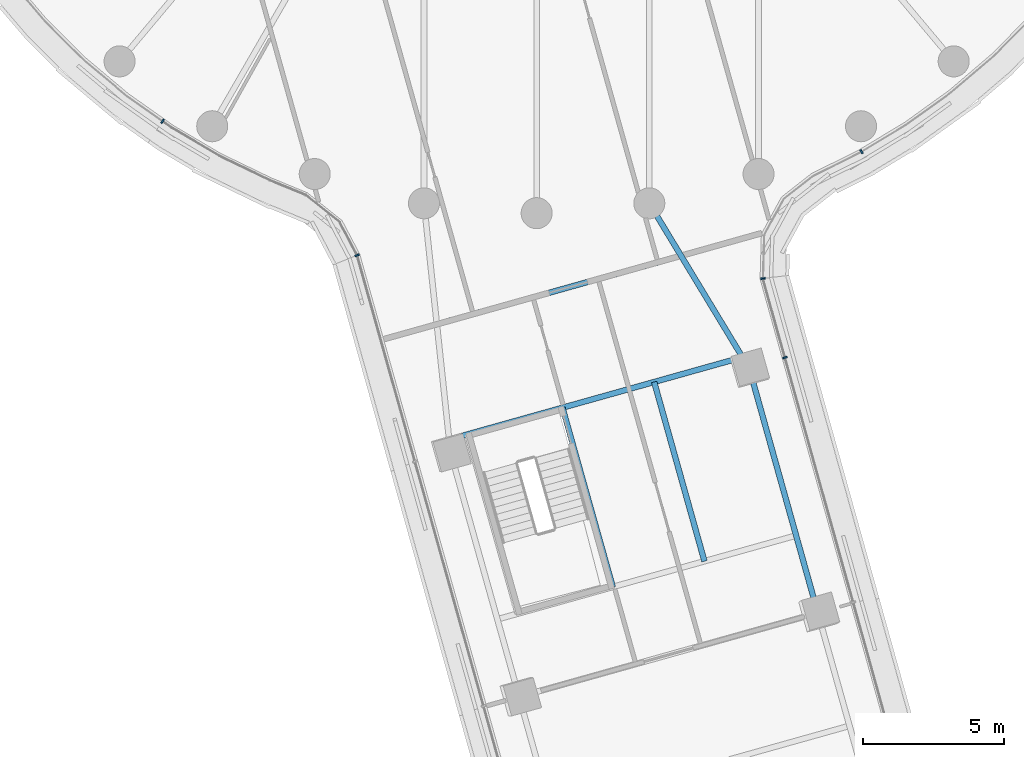
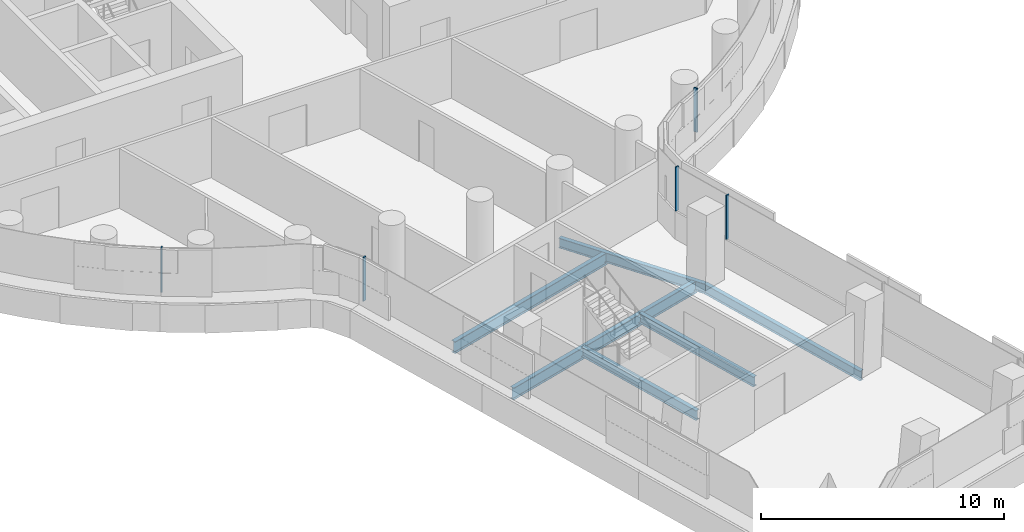
# One storey, part 3 of 30: 6 beams, 5 members, 4 elements without a shape of their own.
"""IFC4 building model written with IfcOpenShell, lengths in metres."""

from ifc_helpers import new_model, si_unit, direction, frame, origin, origin_2d, place, context, subcontext, project, spatial, rectangle, i_section, extrude, material, layer, layer_set, material_profile, profile_set, type_object, element, aggregate, save


model = new_model("IFC4")

# Units and contexts
model_context = context("Model", 3, precision=1e-05, world=origin(), true_north=direction((0.0, 1.0)))
body_context = subcontext(model_context, "Body", "Model", "MODEL_VIEW")
ifc_project = project(units=[si_unit("LENGTHUNIT", "METRE"), si_unit("AREAUNIT", "SQUARE_METRE"), si_unit("VOLUMEUNIT", "CUBIC_METRE"), si_unit("PLANEANGLEUNIT", "RADIAN"), si_unit("MASSUNIT", "GRAM", prefix="KILO")], contexts=[model_context])

# Site, building, storey
site_placement = place(None, origin())
site = spatial("IfcSite", under=ifc_project, at=site_placement, CompositionType="ELEMENT")
building_placement = place(site_placement, origin())
building = spatial("IfcBuilding", under=site, at=building_placement, Name="Tamarind Cross Interchange Tower", CompositionType="ELEMENT")
storey_placement = place(building_placement, frame((0.0, 0.0, 91.0)))
storey = spatial("IfcBuildingStorey", under=building, at=storey_placement, Name="L21", CompositionType="ELEMENT", Elevation=91.0)

# Beams
ifc_material_1 = material(Name="Steel Q355B", Category="steel")
ifc_material_profile_1 = material_profile(ifc_material_1, i_section(OverallWidth=0.198974609375, OverallDepth=0.49609375, WebThickness=0.009033203125, FlangeThickness=0.013916015625, FilletRadius=0.012939453125, at=origin_2d()), Name="HN 496x199x9x14")
ifc_profile_set_1 = profile_set([ifc_material_profile_1], Name="Steel Q355B")
beam_type_1 = type_object("IfcBeamType", Name="Composite beam HN 496x199x9x14 Q355B", PredefinedType="BEAM", material=ifc_profile_set_1)
beam_1_placement = place(storey_placement, frame((9.96875, -37.171142578125, -0.387939453125), z_axis=(-0.270124927, 0.96282528208, 0.0), x_axis=(-0.96282528208, -0.270124927, 0.0)))
element("IfcBeam", 1, at=beam_1_placement, inside=storey, type_object=beam_type_1, Name="Beam S-edgeep3", PredefinedType="BEAM", context=body_context, shape_type="SweptSolid", body=[
    extrude(i_section(OverallWidth=0.198974609375, OverallDepth=0.49609375, WebThickness=0.009033203125, FlangeThickness=0.013916015625, FilletRadius=0.012939453125, at=origin_2d()), origin(), (0.0, 0.0, 1.0), 9.0),
])
beam_2_placement = place(storey_placement, frame((7.53759765625, -28.505615234375, -0.387939453125), z_axis=(-0.517791686406, 0.855506732579, 0.0), x_axis=(-0.855506732579, -0.517791686406, 0.0)))
element("IfcBeam", 2, at=beam_2_placement, inside=storey, type_object=beam_type_1, Name="Beam S-linkep", PredefinedType="BEAM", context=body_context, shape_type="SweptSolid", body=[
    extrude(i_section(OverallWidth=0.198974609375, OverallDepth=0.49609375, WebThickness=0.009033203125, FlangeThickness=0.013916015625, FilletRadius=0.012939453125, at=origin_2d()), origin(), (0.0, 0.0, 1.0), 6.843994140625),
])
for number, where, z_axis, x_axis, name in (
    (3, (0.9169921875, -29.895751953125, -0.387939453125), (0.270140288168, -0.962820972304, 0.0), (0.962820972304, 0.270140288168, 0.0), "Beam S-tr1"),
    (4, (4.16650390625, -28.984130859375, -0.387939453125), (0.270140288168, -0.962820972304, 0.0), (0.962820972304, 0.270140288168, 0.0), "Beam S-stripp"),
):
    element("IfcBeam", number, at=place(storey_placement, frame(where, z_axis=z_axis, x_axis=x_axis)), inside=storey, type_object=beam_type_1, Name=name, PredefinedType="BEAM", context=body_context, shape_type="SweptSolid", body=[
        extrude(i_section(OverallWidth=0.198974609375, OverallDepth=0.49609375, WebThickness=0.009033203125, FlangeThickness=0.013916015625, FilletRadius=0.012939453125, at=origin_2d()), origin(), (0.0, 0.0, 1.0), 6.60009765625),
    ])
ifc_material_profile_2 = material_profile(ifc_material_1, i_section(OverallWidth=0.199951171875, OverallDepth=0.60009765625, WebThickness=0.010986328125, FlangeThickness=0.01708984375, FilletRadius=0.012939453125, at=origin_2d()), Name="HN 600x200x11x17")
ifc_profile_set_2 = profile_set([ifc_material_profile_2], Name="Steel Q355B")
beam_type_2 = type_object("IfcBeamType", Name="Composite beam HN 600x200x11x17 Q355B", PredefinedType="BEAM", material=ifc_profile_set_2)
beam_3_placement = place(storey_placement, frame((-3.101806640625, -31.0234375, -0.43994140625), z_axis=(0.962822541425, 0.27013469552, 0.0), x_axis=(-0.27013469552, 0.962822541425, 0.0)))
element("IfcBeam", 5, at=beam_3_placement, inside=storey, type_object=beam_type_2, Name="Beam S-x298", PredefinedType="BEAM", context=body_context, shape_type="SweptSolid", body=[
    extrude(i_section(OverallWidth=0.199951171875, OverallDepth=0.60009765625, WebThickness=0.010986328125, FlangeThickness=0.01708984375, FilletRadius=0.012939453125, at=origin_2d()), origin(), (0.0, 0.0, 1.0), 10.799072265625),
])
beam_4_placement = place(storey_placement, frame((-3.536865234375, -26.93896484375, -0.43994140625), z_axis=(0.962829657078, 0.270109332401, 0.0), x_axis=(-0.270109332401, 0.962829657078, 0.0)))
element("IfcBeam", 6, at=beam_4_placement, inside=storey, type_object=beam_type_2, Name="Beam S-x258", PredefinedType="BEAM", context=body_context, shape_type="SweptSolid", body=[
    extrude(i_section(OverallWidth=0.199951171875, OverallDepth=0.60009765625, WebThickness=0.010986328125, FlangeThickness=0.01708984375, FilletRadius=0.012939453125, at=origin_2d()), origin(), (0.0, 0.0, 1.0), 8.99072265625),
])

# Curtain wall, member
ifc_material_2 = material(Name="Aluminium 6063-T6", Category="aluminium")
ifc_layer = layer(ifc_material_2, 0.159912109375)
ifc_layer_set = layer_set([ifc_layer], Name="Aluminium 6063-T6")
curtain_wall_type = type_object("IfcCurtainWallType", Name="Office curtain wall, 9.0 m bays", PredefinedType="NOTDEFINED", material=ifc_layer_set)
curtain_wall_1_placement = place(storey_placement, origin())
curtain_wall_1 = element("IfcCurtainWall", 7, at=curtain_wall_1_placement, inside=storey, type_object=curtain_wall_type, Name="CWS-L21-01", PredefinedType="NOTDEFINED")
ifc_material_profile_3 = material_profile(ifc_material_2, rectangle(XDim=0.06005859375, YDim=0.159912109375, at=origin_2d()), Name="Mullion CW1")
ifc_profile_set_3 = profile_set([ifc_material_profile_3], Name="Aluminium 6063-T6")
member_type = type_object("IfcMemberType", Name="Mullion CW1", PredefinedType="MULLION", material=ifc_profile_set_3)
member_1_placement = place(storey_placement, frame((8.802978515625, -28.11962890625, 1.39990234375), z_axis=(0.0, 0.0, 1.0), x_axis=(-0.26883067316, 0.963187452767, 0.0)))
member_1 = element("IfcMember", 8, at=member_1_placement, type_object=member_type, Name="CWM-L21-01-02", PredefinedType="MULLION", context=body_context, shape_type="SweptSolid", body=[
    extrude(rectangle(XDim=0.06005859375, YDim=0.159912109375, at=origin_2d()), origin(), (0.0, 0.0, 1.0), 2.210205078125),
])
aggregate(curtain_wall_1, [member_1])

# Curtain wall, members
curtain_wall_2_placement = place(storey_placement, origin())
curtain_wall_2 = element("IfcCurtainWall", 9, at=curtain_wall_2_placement, inside=storey, type_object=curtain_wall_type, Name="CWS-L21-02", PredefinedType="NOTDEFINED")
member_2_placement = place(storey_placement, frame((8.020751953125, -25.31640625, 1.39990234375), z_axis=(0.0, 0.0, 1.0), x_axis=(-0.121439197982, 0.992598872251, 0.0)))
member_2 = element("IfcMember", 10, at=member_2_placement, type_object=member_type, Name="CWM-L21-02-00", PredefinedType="MULLION", context=body_context, shape_type="SweptSolid", body=[
    extrude(rectangle(XDim=0.06005859375, YDim=0.159912109375, at=origin_2d()), origin(), (0.0, 0.0, 1.0), 2.210205078125),
])
member_3_placement = place(storey_placement, frame((11.517578125, -20.8173828125, 1.39990234375), z_axis=(0.0, 0.0, 1.0), x_axis=(0.856843065292, 0.515577308909, 0.0)))
member_3 = element("IfcMember", 11, at=member_3_placement, type_object=member_type, Name="CWM-L21-02-01", PredefinedType="MULLION", context=body_context, shape_type="SweptSolid", body=[
    extrude(rectangle(XDim=0.06005859375, YDim=0.159912109375, at=origin_2d()), origin(), (0.0, 0.0, 1.0), 2.210205078125),
])
aggregate(curtain_wall_2, [member_2, member_3])

# Curtain wall, member
curtain_wall_3_placement = place(storey_placement, origin())
curtain_wall_3 = element("IfcCurtainWall", 12, at=curtain_wall_3_placement, inside=storey, type_object=curtain_wall_type, Name="CWS-L21-14", PredefinedType="NOTDEFINED")
member_4_placement = place(storey_placement, frame((-13.260498046875, -19.742431640625, 1.39990234375), z_axis=(0.0, 0.0, 1.0), x_axis=(0.816341886298, -0.577568978284, 0.0)))
member_4 = element("IfcMember", 13, at=member_4_placement, type_object=member_type, Name="CWM-L21-14-02", PredefinedType="MULLION", context=body_context, shape_type="SweptSolid", body=[
    extrude(rectangle(XDim=0.06005859375, YDim=0.159912109375, at=origin_2d()), origin(), (0.0, 0.0, 1.0), 2.210205078125),
])
aggregate(curtain_wall_3, [member_4])

curtain_wall_4_placement = place(storey_placement, origin())
curtain_wall_4 = element("IfcCurtainWall", 14, at=curtain_wall_4_placement, inside=storey, type_object=curtain_wall_type, Name="CWS-L21-15", PredefinedType="NOTDEFINED")
member_5_placement = place(storey_placement, frame((-6.36328125, -24.4921875, 1.39990234375), z_axis=(0.0, 0.0, 1.0), x_axis=(0.369635216401, -0.929176951283, 0.0)))
member_5 = element("IfcMember", 15, at=member_5_placement, type_object=member_type, Name="CWM-L21-15-00", PredefinedType="MULLION", context=body_context, shape_type="SweptSolid", body=[
    extrude(rectangle(XDim=0.06005859375, YDim=0.159912109375, at=origin_2d()), origin(), (0.0, 0.0, 1.0), 2.210205078125),
])
aggregate(curtain_wall_4, [member_5])

save(model, "model.ifc")
